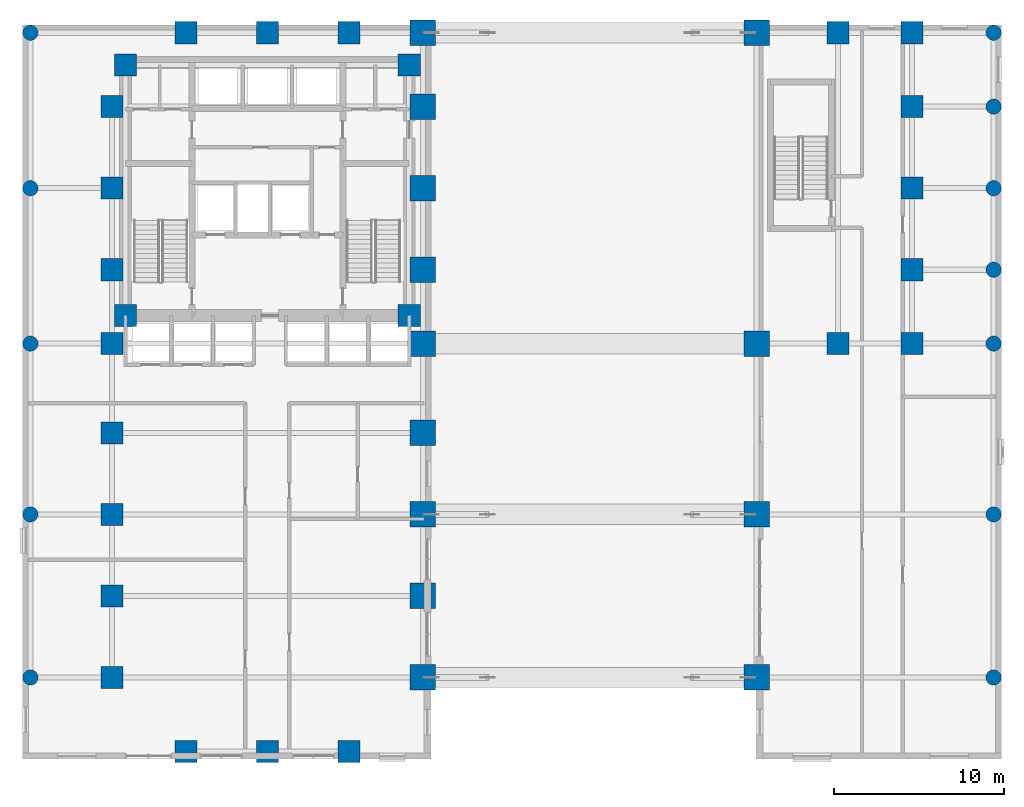
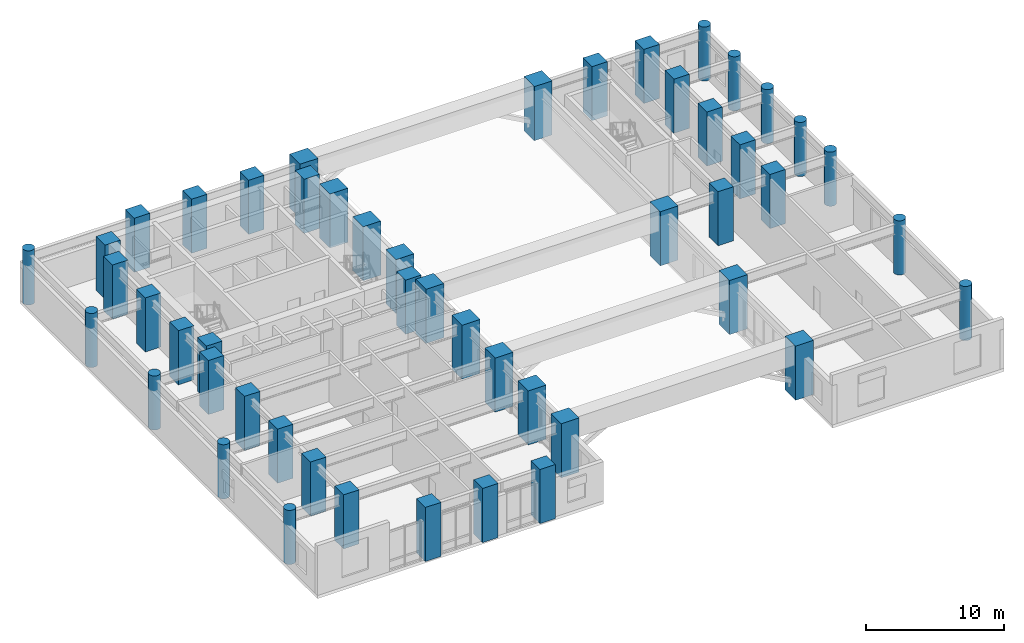
# One storey, part 1 of 12: 50 columns.
"""IFC4 building model written with IfcOpenShell, lengths in metres."""

from ifc_helpers import new_model, si_unit, direction, frame, origin, origin_2d, place, context, subcontext, project, spatial, rectangle, circle, extrude, material, material_profile, profile_set, type_object, element, save


model = new_model("IFC4")

# Units and contexts
model_context = context("Model", 3, precision=1e-05, world=origin(), true_north=direction((0.0, 1.0)))
body_context = subcontext(model_context, "Body", "Model", "MODEL_VIEW")
ifc_project = project(units=[si_unit("LENGTHUNIT", "METRE"), si_unit("AREAUNIT", "SQUARE_METRE"), si_unit("VOLUMEUNIT", "CUBIC_METRE"), si_unit("PLANEANGLEUNIT", "RADIAN"), si_unit("MASSUNIT", "GRAM", prefix="KILO")], contexts=[model_context])

# Site, building, storey
site_placement = place(None, origin())
site = spatial("IfcSite", under=ifc_project, at=site_placement, CompositionType="ELEMENT")
building_placement = place(site_placement, origin())
building = spatial("IfcBuilding", under=site, at=building_placement, Name="Orvandelia Arch Residences", CompositionType="ELEMENT")
storey_placement = place(building_placement, frame((0.0, 0.0, 10.0)))
storey = spatial("IfcBuildingStorey", under=building, at=storey_placement, Name="L02", CompositionType="ELEMENT", Elevation=10.0)

# Columns
ifc_material_1 = material(Name="Concrete C80/95", Category="concrete")
ifc_material_profile_1 = material_profile(ifc_material_1, rectangle(XDim=1.5, YDim=1.5, at=origin_2d()), Name="Concrete C80/95", Category="concrete")
ifc_profile_set_1 = profile_set([ifc_material_profile_1], Name="Concrete C80/95")
column_type_1 = type_object("IfcColumnType", Name="COL-MEGA-1500", PredefinedType="USERDEFINED", material=ifc_profile_set_1)
for number, where, z_axis, x_axis, name in (
    (1, (23.550048828125, 9.60009765625, 0.0), (0.0, 0.0, 1.0), (1.0, 0.0, 0.0), "Structural Column L02-W-E-96"),
    (2, (23.550048828125, 14.39990234375, 0.0), (0.0, 0.0, 1.0), (1.0, 0.0, 0.0), "Structural Column L02-W-E-144"),
    (3, (23.550048828125, 19.199951171875, 0.0), (0.0, 0.0, 1.0), (1.0, 0.0, 0.0), "Structural Column L02-W-E-192"),
    (4, (23.550048828125, 24.0, 0.0), (0.0, 0.0, 1.0), (1.0, 0.0, 0.0), "Structural Column L02-W-E-240"),
    (5, (23.550048828125, 29.25, 0.0), (0.0, 0.0, 1.0), (1.0, 0.0, 0.0), "Structural Column L02-W-E-292"),
    (6, (23.550048828125, 33.60009765625, 0.0), (0.0, 0.0, 1.0), (1.0, 0.0, 0.0), "Structural Column L02-W-E-336"),
    (7, (23.550048828125, 38.39990234375, 0.0), (0.0, 0.0, 1.0), (1.0, 0.0, 0.0), "Structural Column L02-W-E-384"),
    (8, (23.550048828125, 43.199951171875, 0.0), (0.0, 0.0, 1.0), (1.0, 0.0, 0.0), "Structural Column L02-W-E-432"),
    (9, (23.550048828125, 47.550048828125, 0.0), (0.0, 0.0, 1.0), (1.0, 0.0, 0.0), "Structural Column L02-W-N-235"),
    (10, (43.199951171875, 9.60009765625, 0.0), (0.0, 0.0, 1.0), (1.0, 0.0, 0.0), "Structural Column L02-MPE-96"),
    (11, (43.199951171875, 19.199951171875, 0.0), (0.0, 0.0, 1.0), (1.0, 0.0, 0.0), "Structural Column L02-MPE-192"),
    (12, (43.199951171875, 29.25, 0.0), (0.0, 0.0, 1.0), (1.0, 0.0, 0.0), "Structural Column L02-E-S-432"),
    (13, (43.199951171875, 47.550048828125, 0.0), (0.0, 0.0, 1.0), (1.0, 0.0, 0.0), "Structural Column L02-E-N-432"),
):
    element("IfcColumn", number, at=place(storey_placement, frame(where, z_axis=z_axis, x_axis=x_axis)), inside=storey, type_object=column_type_1, Name=name, ObjectType="PIER COLUMN", PredefinedType="USERDEFINED", context=body_context, shape_type="SweptSolid", body=[
        extrude(rectangle(XDim=1.5, YDim=1.5, at=origin_2d()), origin(), (0.0, 0.0, 1.0), 4.800048828125),
    ])
ifc_material_2 = material(Name="Concrete C60/75", Category="concrete")
ifc_material_profile_2 = material_profile(ifc_material_2, circle(Radius=0.449951171875, at=origin_2d()), Name="Concrete C60/75", Category="concrete")
ifc_profile_set_2 = profile_set([ifc_material_profile_2], Name="Concrete C60/75")
column_type_2 = type_object("IfcColumnType", Name="COL-POD-900C", PredefinedType="COLUMN", material=ifc_profile_set_2)
for number, where, z_axis, x_axis, name in (
    (14, (0.449951171875, 9.60009765625, 0.0), (0.0, 0.0, 1.0), (1.0, 0.0, 0.0), "Structural Column L02-POD-W0-96"),
    (15, (0.449951171875, 19.199951171875, 0.0), (0.0, 0.0, 1.0), (1.0, 0.0, 0.0), "Structural Column L02-POD-W0-192"),
    (16, (0.449951171875, 29.25, 0.0), (0.0, 0.0, 1.0), (1.0, 0.0, 0.0), "Structural Column L02-POD-W0-292"),
    (17, (0.449951171875, 38.39990234375, 0.0), (0.0, 0.0, 1.0), (1.0, 0.0, 0.0), "Structural Column L02-POD-W0-384"),
    (18, (0.449951171875, 47.550048828125, 0.0), (0.0, 0.0, 1.0), (1.0, 0.0, 0.0), "Structural Column L02-POD-W0-475"),
    (19, (57.14990234375, 9.60009765625, 0.0), (0.0, 0.0, 1.0), (1.0, 0.0, 0.0), "Structural Column L02-POD-E0-96"),
    (20, (57.14990234375, 19.199951171875, 0.0), (0.0, 0.0, 1.0), (1.0, 0.0, 0.0), "Structural Column L02-POD-E0-192"),
    (21, (57.14990234375, 29.25, 0.0), (0.0, 0.0, 1.0), (1.0, 0.0, 0.0), "Structural Column L02-POD-E0-292"),
    (22, (57.14990234375, 33.60009765625, 0.0), (0.0, 0.0, 1.0), (1.0, 0.0, 0.0), "Structural Column L02-E-571-336"),
    (23, (57.14990234375, 38.39990234375, 0.0), (0.0, 0.0, 1.0), (1.0, 0.0, 0.0), "Structural Column L02-POD-E0-384"),
    (24, (57.14990234375, 43.199951171875, 0.0), (0.0, 0.0, 1.0), (1.0, 0.0, 0.0), "Structural Column L02-E-571-432"),
    (25, (57.14990234375, 47.550048828125, 0.0), (0.0, 0.0, 1.0), (1.0, 0.0, 0.0), "Structural Column L02-POD-E0-475"),
):
    element("IfcColumn", number, at=place(storey_placement, frame(where, z_axis=z_axis, x_axis=x_axis)), inside=storey, type_object=column_type_2, Name=name, PredefinedType="COLUMN", context=body_context, shape_type="SweptSolid", body=[
        extrude(circle(Radius=0.449951171875, at=origin_2d()), origin(), (0.0, 0.0, 1.0), 4.800048828125),
    ])
ifc_material_profile_3 = material_profile(ifc_material_1, rectangle(XDim=1.300048828125, YDim=1.300048828125, at=origin_2d()), Name="Concrete C80/95", Category="concrete")
ifc_profile_set_3 = profile_set([ifc_material_profile_3], Name="Concrete C80/95")
column_type_3 = type_object("IfcColumnType", Name="COL-TWR-1300", PredefinedType="COLUMN", material=ifc_profile_set_3)
for number, where, z_axis, x_axis, name in (
    (26, (5.25, 9.60009765625, 0.0), (0.0, 0.0, 1.0), (1.0, 0.0, 0.0), "Structural Column L02-W-W-96"),
    (27, (5.25, 14.39990234375, 0.0), (0.0, 0.0, 1.0), (1.0, 0.0, 0.0), "Structural Column L02-W-W-144"),
    (28, (5.25, 19.199951171875, 0.0), (0.0, 0.0, 1.0), (1.0, 0.0, 0.0), "Structural Column L02-W-W-192"),
    (29, (5.25, 24.0, 0.0), (0.0, 0.0, 1.0), (1.0, 0.0, 0.0), "Structural Column L02-W-W-240"),
    (30, (5.25, 29.25, 0.0), (0.0, 0.0, 1.0), (1.0, 0.0, 0.0), "Structural Column L02-W-W-292"),
    (31, (5.25, 33.60009765625, 0.0), (0.0, 0.0, 1.0), (1.0, 0.0, 0.0), "Structural Column L02-W-W-336"),
    (32, (5.25, 38.39990234375, 0.0), (0.0, 0.0, 1.0), (1.0, 0.0, 0.0), "Structural Column L02-W-W-384"),
    (33, (5.25, 43.199951171875, 0.0), (0.0, 0.0, 1.0), (1.0, 0.0, 0.0), "Structural Column L02-W-W-432"),
    (34, (6.050048828125, 30.89990234375, 0.0), (0.0, 0.0, 1.0), (1.0, 0.0, 0.0), "Structural Column L02-CR-SW"),
    (35, (6.050048828125, 45.64990234375, 0.0), (0.0, 0.0, 1.0), (1.0, 0.0, 0.0), "Structural Column L02-CR-NW"),
    (36, (9.60009765625, 5.25, 0.0), (0.0, 0.0, 1.0), (1.0, 0.0, 0.0), "Structural Column L02-W-S-96"),
    (37, (9.60009765625, 47.550048828125, 0.0), (0.0, 0.0, 1.0), (1.0, 0.0, 0.0), "Structural Column L02-W-N-96"),
    (38, (14.39990234375, 5.25, 0.0), (0.0, 0.0, 1.0), (1.0, 0.0, 0.0), "Structural Column L02-W-S-144"),
    (39, (14.39990234375, 47.550048828125, 0.0), (0.0, 0.0, 1.0), (1.0, 0.0, 0.0), "Structural Column L02-W-N-144"),
    (40, (19.199951171875, 5.25, 0.0), (0.0, 0.0, 1.0), (1.0, 0.0, 0.0), "Structural Column L02-W-S-192"),
    (41, (19.199951171875, 47.550048828125, 0.0), (0.0, 0.0, 1.0), (1.0, 0.0, 0.0), "Structural Column L02-W-N-192"),
    (42, (22.75, 30.89990234375, 0.0), (0.0, 0.0, 1.0), (1.0, 0.0, 0.0), "Structural Column L02-CR-SE"),
    (43, (22.75, 45.64990234375, 0.0), (0.0, 0.0, 1.0), (1.0, 0.0, 0.0), "Structural Column L02-CR-NE"),
    (44, (48.0, 29.25, 0.0), (0.0, 0.0, 1.0), (1.0, 0.0, 0.0), "Structural Column L02-E-S-480"),
    (45, (48.0, 47.550048828125, 0.0), (0.0, 0.0, 1.0), (1.0, 0.0, 0.0), "Structural Column L02-E-N-480"),
    (46, (52.35009765625, 29.25, 0.0), (0.0, 0.0, 1.0), (1.0, 0.0, 0.0), "Structural Column L02-E-S-523"),
    (47, (52.35009765625, 33.60009765625, 0.0), (0.0, 0.0, 1.0), (1.0, 0.0, 0.0), "Structural Column L02-E-523-336"),
    (48, (52.35009765625, 38.39990234375, 0.0), (0.0, 0.0, 1.0), (1.0, 0.0, 0.0), "Structural Column L02-E-523-384"),
    (49, (52.35009765625, 43.199951171875, 0.0), (0.0, 0.0, 1.0), (1.0, 0.0, 0.0), "Structural Column L02-E-523-432"),
    (50, (52.35009765625, 47.550048828125, 0.0), (0.0, 0.0, 1.0), (1.0, 0.0, 0.0), "Structural Column L02-E-N-523"),
):
    element("IfcColumn", number, at=place(storey_placement, frame(where, z_axis=z_axis, x_axis=x_axis)), inside=storey, type_object=column_type_3, Name=name, PredefinedType="COLUMN", context=body_context, shape_type="SweptSolid", body=[
        extrude(rectangle(XDim=1.300048828125, YDim=1.300048828125, at=origin_2d()), origin(), (0.0, 0.0, 1.0), 4.800048828125),
    ])

save(model, "model.ifc")
